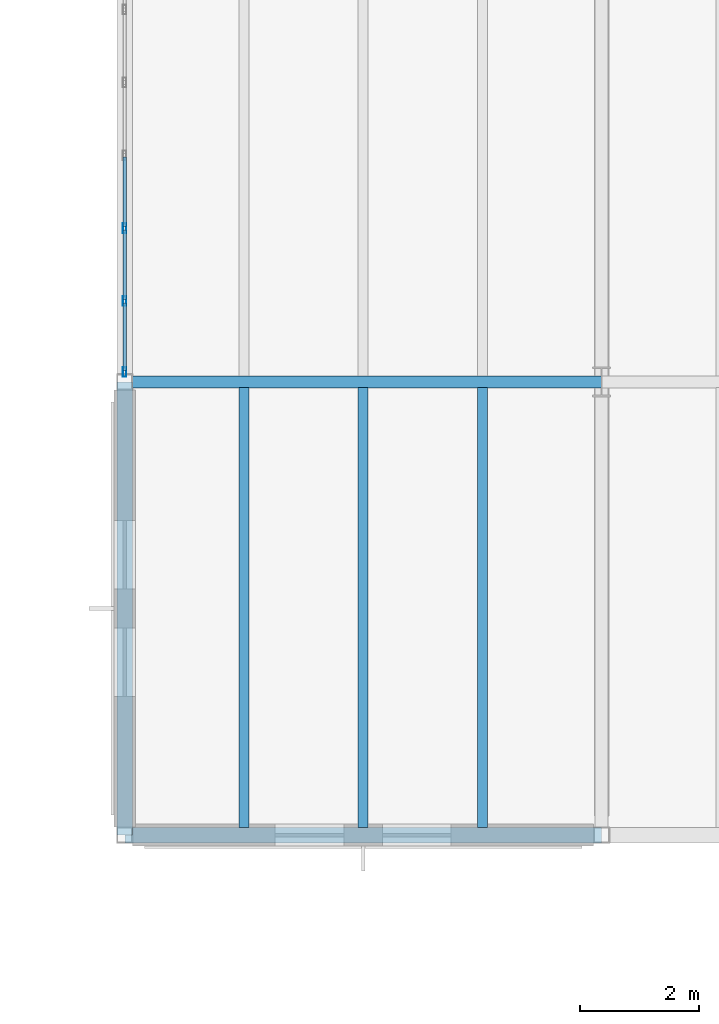
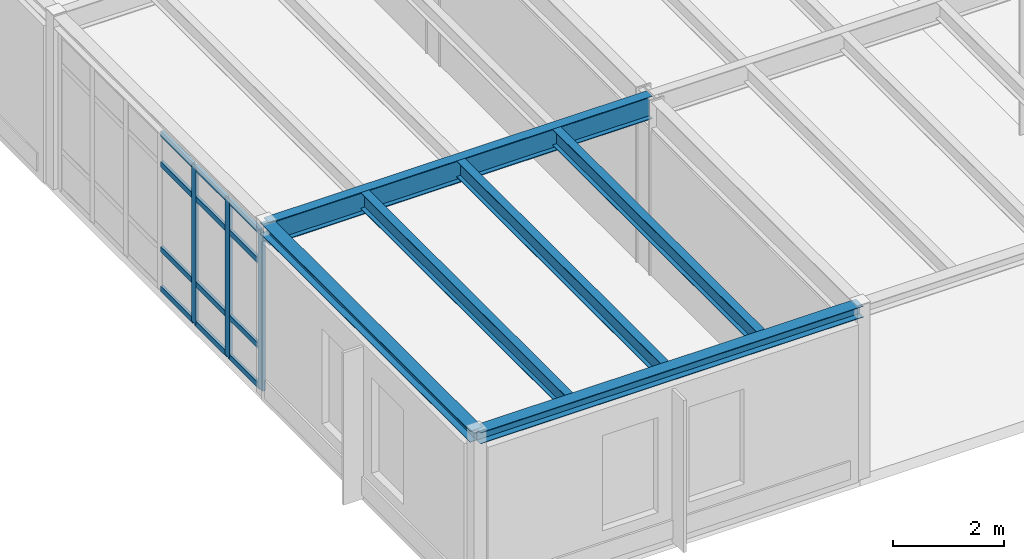
# One storey, part 133 of 189: 15 members, 6 beams, 1 element without a shape of its own.
"""IFC4 building model written with IfcOpenShell, lengths in metres."""

from ifc_helpers import new_model, si_unit, direction, frame, origin, origin_2d, place, context, subcontext, project, spatial, hollow_rectangle, i_section, extrude, material, layer, layer_set, material_profile, profile_set, type_object, element, aggregate, save


model = new_model("IFC4")

# Units and contexts
model_context = context("Model", 3, precision=1e-05, world=origin(), true_north=direction((0.0, 1.0)))
body_context = subcontext(model_context, "Body", "Model", "MODEL_VIEW")
ifc_project = project(units=[si_unit("LENGTHUNIT", "METRE"), si_unit("AREAUNIT", "SQUARE_METRE"), si_unit("VOLUMEUNIT", "CUBIC_METRE"), si_unit("PLANEANGLEUNIT", "RADIAN"), si_unit("MASSUNIT", "GRAM", prefix="KILO")], contexts=[model_context])

# Site, building, storey
site_placement = place(None, origin())
site = spatial("IfcSite", under=ifc_project, at=site_placement, CompositionType="ELEMENT")
building_placement = place(site_placement, origin())
building = spatial("IfcBuilding", under=site, at=building_placement, Name="Montecoro Central Library", CompositionType="ELEMENT")
storey_placement = place(building_placement, frame((0.0, 0.0, 9.179931640625)))
storey = spatial("IfcBuildingStorey", under=building, at=storey_placement, Name="L02", CompositionType="ELEMENT", Elevation=9.179931640625)

# Beams
ifc_material_1 = material(Name="Steel S355", Category="steel")
ifc_material_profile_1 = material_profile(ifc_material_1, i_section(OverallWidth=0.199951171875, OverallDepth=0.5, WebThickness=0.01025390625, FlangeThickness=0.01611328125, at=origin_2d()), Name="IPE 500")
ifc_profile_set_1 = profile_set([ifc_material_profile_1], Name="Steel S355")
beam_type_1 = type_object("IfcBeamType", Name="BM-G-IPE500", PredefinedType="USERDEFINED", material=ifc_profile_set_1)
beam_1_placement = place(storey_placement, frame((141.0048828125, 81.0, 3.565185546875), z_axis=(1.0, 0.0, 0.0), x_axis=(0.0, 1.0, 0.0)))
element("IfcBeam", 1, at=beam_1_placement, inside=storey, type_object=beam_type_1, Name="V5-L02-BX-1819-L", ObjectType="GIRDER", PredefinedType="USERDEFINED", context=body_context, shape_type="SweptSolid", body=[
    extrude(i_section(OverallWidth=0.199951171875, OverallDepth=0.5, WebThickness=0.01025390625, FlangeThickness=0.01611328125, at=origin_2d()), origin(), (0.0, 0.0, 1.0), 7.990234375),
])
ifc_material_profile_2 = material_profile(ifc_material_1, i_section(OverallWidth=0.169921875, OverallDepth=0.360107421875, WebThickness=0.008056640625, FlangeThickness=0.0126953125, at=origin_2d()), Name="IPE 360")
ifc_profile_set_2 = profile_set([ifc_material_profile_2], Name="Steel S355")
beam_type_2 = type_object("IfcBeamType", Name="BM-J-IPE360", PredefinedType="JOIST", material=ifc_profile_set_2)
for number, where, z_axis, x_axis, name in (
    (2, (143.0, 73.527099609375, 3.635009765625), (0.0, 1.0, 0.0), (-1.0, 0.0, 0.0), "V5-L02-JS-1819-KL-1"),
    (3, (145.0, 73.527099609375, 3.635009765625), (0.0, 1.0, 0.0), (-1.0, 0.0, 0.0), "V5-L02-JS-1819-KL-2"),
    (4, (147.0, 73.527099609375, 3.635009765625), (0.0, 1.0, 0.0), (-1.0, 0.0, 0.0), "V5-L02-JS-1819-KL-3"),
):
    element("IfcBeam", number, at=place(storey_placement, frame(where, z_axis=z_axis, x_axis=x_axis)), inside=storey, type_object=beam_type_2, Name=name, PredefinedType="JOIST", context=body_context, shape_type="SweptSolid", body=[
        extrude(i_section(OverallWidth=0.169921875, OverallDepth=0.360107421875, WebThickness=0.008056640625, FlangeThickness=0.0126953125, at=origin_2d()), origin(), (0.0, 0.0, 1.0), 7.3759765625),
    ])
ifc_material_profile_3 = material_profile(ifc_material_1, i_section(OverallWidth=0.260009765625, OverallDepth=0.25, WebThickness=0.007568359375, FlangeThickness=0.012451171875, at=origin_2d()), Name="HEA 260")
ifc_profile_set_3 = profile_set([ifc_material_profile_3], Name="Steel S355")
beam_type_3 = type_object("IfcBeamType", Name="BM-SP-HEA260", PredefinedType="SPANDREL", material=ifc_profile_set_3)
beam_2_placement = place(storey_placement, frame((141.0048828125, 73.39990234375, 3.690185546875), z_axis=(1.0, 0.0, 0.0), x_axis=(0.0, 1.0, 0.0)))
element("IfcBeam", 5, at=beam_2_placement, inside=storey, type_object=beam_type_3, Name="V5-L02-BX-1819-K", PredefinedType="SPANDREL", context=body_context, shape_type="SweptSolid", body=[
    extrude(i_section(OverallWidth=0.260009765625, OverallDepth=0.25, WebThickness=0.007568359375, FlangeThickness=0.012451171875, at=origin_2d()), origin(), (0.0, 0.0, 1.0), 7.990234375),
])
beam_3_placement = place(storey_placement, frame((141.0, 73.405029296875, 3.690185546875), z_axis=(0.0, 1.0, 0.0), x_axis=(-1.0, 0.0, 0.0)))
element("IfcBeam", 6, at=beam_3_placement, inside=storey, type_object=beam_type_3, Name="V5-L02-BY-18-KL", PredefinedType="SPANDREL", context=body_context, shape_type="SweptSolid", body=[
    extrude(i_section(OverallWidth=0.260009765625, OverallDepth=0.25, WebThickness=0.007568359375, FlangeThickness=0.012451171875, at=origin_2d()), origin(), (0.0, 0.0, 1.0), 7.590087890625),
])

# Curtain wall, members
ifc_material_2 = material(Name="Bronze-anodised aluminium and low-E glazing", Category="aluminium")
ifc_layer = layer(ifc_material_2, 0.159912109375)
ifc_layer_set = layer_set([ifc_layer], Name="Bronze-anodised aluminium and low-E glazing")
curtain_wall_type = type_object("IfcCurtainWallType", Name="CWT-054", PredefinedType="NOTDEFINED", material=ifc_layer_set)
curtain_wall_placement = place(storey_placement, origin())
curtain_wall = element("IfcCurtainWall", 7, at=curtain_wall_placement, inside=storey, type_object=curtain_wall_type, Name="V5-L02-CW-W1", PredefinedType="NOTDEFINED")
ifc_material_3 = material(Name="Bronze-anodised aluminium", Category="aluminium")
ifc_material_profile_4 = material_profile(ifc_material_3, hollow_rectangle(XDim=0.06005859375, YDim=0.159912109375, WallThickness=0.00390625, at=origin_2d()), Name="CWM 160x60x4.0")
ifc_profile_set_4 = profile_set([ifc_material_profile_4], Name="Bronze-anodised aluminium")
member_type_1 = type_object("IfcMemberType", Name="CWM-BRZ-60", PredefinedType="MULLION", material=ifc_profile_set_4)
member_1_placement = place(storey_placement, frame((141.0, 83.57763671875, 0.0), z_axis=(0.0, 0.0, 1.0), x_axis=(1.0, 0.0, 0.0)))
member_1 = element("IfcMember", 8, at=member_1_placement, type_object=member_type_1, Name="CW-054 mullion 5", PredefinedType="MULLION", context=body_context, shape_type="SweptSolid", body=[
    extrude(hollow_rectangle(XDim=0.06005859375, YDim=0.159912109375, WallThickness=0.00390625, at=origin_2d()), origin(), (0.0, 0.0, 1.0), 3.47998046875),
])
member_2_placement = place(storey_placement, frame((141.0, 82.355224609375, 0.0), z_axis=(0.0, 0.0, 1.0), x_axis=(1.0, 0.0, 0.0)))
member_2 = element("IfcMember", 9, at=member_2_placement, type_object=member_type_1, Name="CW-054 mullion 6", PredefinedType="MULLION", context=body_context, shape_type="SweptSolid", body=[
    extrude(hollow_rectangle(XDim=0.06005859375, YDim=0.159912109375, WallThickness=0.00390625, at=origin_2d()), origin(), (0.0, 0.0, 1.0), 3.47998046875),
])
member_3_placement = place(storey_placement, frame((141.0, 81.1630859375, 0.0), z_axis=(0.0, 0.0, 1.0), x_axis=(1.0, 0.0, 0.0)))
member_3 = element("IfcMember", 10, at=member_3_placement, type_object=member_type_1, Name="CW-054 mullion 7", PredefinedType="MULLION", context=body_context, shape_type="SweptSolid", body=[
    extrude(hollow_rectangle(XDim=0.06005859375, YDim=0.159912109375, WallThickness=0.00390625, at=origin_2d()), origin(), (0.0, 0.0, 1.0), 3.47998046875),
])
ifc_material_profile_5 = material_profile(ifc_material_3, hollow_rectangle(XDim=0.06005859375, YDim=0.1201171875, WallThickness=0.00390625, at=origin_2d()), Name="CWT 120x60x4.0")
ifc_profile_set_5 = profile_set([ifc_material_profile_5], Name="Bronze-anodised aluminium")
member_type_2 = type_object("IfcMemberType", Name="CWT-BRZ-60", PredefinedType="USERDEFINED", material=ifc_profile_set_5)
member_4_placement = place(storey_placement, frame((141.0, 84.77001953125, 0.030029296875), z_axis=(0.0, -1.0, 0.0), x_axis=(1.0, 0.0, 0.0)))
member_4 = element("IfcMember", 11, at=member_4_placement, type_object=member_type_2, Name="CW-054 transom 4.1", ObjectType="TRANSOM", PredefinedType="USERDEFINED", context=body_context, shape_type="SweptSolid", body=[
    extrude(hollow_rectangle(XDim=0.06005859375, YDim=0.1201171875, WallThickness=0.00390625, at=origin_2d()), origin(), (0.0, 0.0, 1.0), 1.162353515625),
])
member_5_placement = place(storey_placement, frame((141.0, 84.77001953125, 0.900146484375), z_axis=(0.0, -1.0, 0.0), x_axis=(1.0, 0.0, 0.0)))
member_5 = element("IfcMember", 12, at=member_5_placement, type_object=member_type_2, Name="CW-054 transom 4.2", ObjectType="TRANSOM", PredefinedType="USERDEFINED", context=body_context, shape_type="SweptSolid", body=[
    extrude(hollow_rectangle(XDim=0.06005859375, YDim=0.1201171875, WallThickness=0.00390625, at=origin_2d()), origin(), (0.0, 0.0, 1.0), 1.162353515625),
])
member_6_placement = place(storey_placement, frame((141.0, 84.77001953125, 2.780029296875), z_axis=(0.0, -1.0, 0.0), x_axis=(1.0, 0.0, 0.0)))
member_6 = element("IfcMember", 13, at=member_6_placement, type_object=member_type_2, Name="CW-054 transom 4.3", ObjectType="TRANSOM", PredefinedType="USERDEFINED", context=body_context, shape_type="SweptSolid", body=[
    extrude(hollow_rectangle(XDim=0.06005859375, YDim=0.1201171875, WallThickness=0.00390625, at=origin_2d()), origin(), (0.0, 0.0, 1.0), 1.162353515625),
])
member_7_placement = place(storey_placement, frame((141.0, 84.77001953125, 3.449951171875), z_axis=(0.0, -1.0, 0.0), x_axis=(1.0, 0.0, 0.0)))
member_7 = element("IfcMember", 14, at=member_7_placement, type_object=member_type_2, Name="CW-054 transom 4.4", ObjectType="TRANSOM", PredefinedType="USERDEFINED", context=body_context, shape_type="SweptSolid", body=[
    extrude(hollow_rectangle(XDim=0.06005859375, YDim=0.1201171875, WallThickness=0.00390625, at=origin_2d()), origin(), (0.0, 0.0, 1.0), 1.162353515625),
])
member_8_placement = place(storey_placement, frame((141.0, 83.547607421875, 0.030029296875), z_axis=(0.0, -1.0, 0.0), x_axis=(1.0, 0.0, 0.0)))
member_8 = element("IfcMember", 15, at=member_8_placement, type_object=member_type_2, Name="CW-054 transom 5.1", ObjectType="TRANSOM", PredefinedType="USERDEFINED", context=body_context, shape_type="SweptSolid", body=[
    extrude(hollow_rectangle(XDim=0.06005859375, YDim=0.1201171875, WallThickness=0.00390625, at=origin_2d()), origin(), (0.0, 0.0, 1.0), 1.162353515625),
])
member_9_placement = place(storey_placement, frame((141.0, 83.547607421875, 0.900146484375), z_axis=(0.0, -1.0, 0.0), x_axis=(1.0, 0.0, 0.0)))
member_9 = element("IfcMember", 16, at=member_9_placement, type_object=member_type_2, Name="CW-054 transom 5.2", ObjectType="TRANSOM", PredefinedType="USERDEFINED", context=body_context, shape_type="SweptSolid", body=[
    extrude(hollow_rectangle(XDim=0.06005859375, YDim=0.1201171875, WallThickness=0.00390625, at=origin_2d()), origin(), (0.0, 0.0, 1.0), 1.162353515625),
])
member_10_placement = place(storey_placement, frame((141.0, 83.547607421875, 2.780029296875), z_axis=(0.0, -1.0, 0.0), x_axis=(1.0, 0.0, 0.0)))
member_10 = element("IfcMember", 17, at=member_10_placement, type_object=member_type_2, Name="CW-054 transom 5.3", ObjectType="TRANSOM", PredefinedType="USERDEFINED", context=body_context, shape_type="SweptSolid", body=[
    extrude(hollow_rectangle(XDim=0.06005859375, YDim=0.1201171875, WallThickness=0.00390625, at=origin_2d()), origin(), (0.0, 0.0, 1.0), 1.162353515625),
])
member_11_placement = place(storey_placement, frame((141.0, 83.547607421875, 3.449951171875), z_axis=(0.0, -1.0, 0.0), x_axis=(1.0, 0.0, 0.0)))
member_11 = element("IfcMember", 18, at=member_11_placement, type_object=member_type_2, Name="CW-054 transom 5.4", ObjectType="TRANSOM", PredefinedType="USERDEFINED", context=body_context, shape_type="SweptSolid", body=[
    extrude(hollow_rectangle(XDim=0.06005859375, YDim=0.1201171875, WallThickness=0.00390625, at=origin_2d()), origin(), (0.0, 0.0, 1.0), 1.162353515625),
])
member_12_placement = place(storey_placement, frame((141.0, 82.325439453125, 0.030029296875), z_axis=(0.0, -1.0, 0.0), x_axis=(1.0, 0.0, 0.0)))
member_12 = element("IfcMember", 19, at=member_12_placement, type_object=member_type_2, Name="CW-054 transom 6.1", ObjectType="TRANSOM", PredefinedType="USERDEFINED", context=body_context, shape_type="SweptSolid", body=[
    extrude(hollow_rectangle(XDim=0.06005859375, YDim=0.1201171875, WallThickness=0.00390625, at=origin_2d()), origin(), (0.0, 0.0, 1.0), 1.13232421875),
])
member_13_placement = place(storey_placement, frame((141.0, 82.325439453125, 0.900146484375), z_axis=(0.0, -1.0, 0.0), x_axis=(1.0, 0.0, 0.0)))
member_13 = element("IfcMember", 20, at=member_13_placement, type_object=member_type_2, Name="CW-054 transom 6.2", ObjectType="TRANSOM", PredefinedType="USERDEFINED", context=body_context, shape_type="SweptSolid", body=[
    extrude(hollow_rectangle(XDim=0.06005859375, YDim=0.1201171875, WallThickness=0.00390625, at=origin_2d()), origin(), (0.0, 0.0, 1.0), 1.13232421875),
])
member_14_placement = place(storey_placement, frame((141.0, 82.325439453125, 2.780029296875), z_axis=(0.0, -1.0, 0.0), x_axis=(1.0, 0.0, 0.0)))
member_14 = element("IfcMember", 21, at=member_14_placement, type_object=member_type_2, Name="CW-054 transom 6.3", ObjectType="TRANSOM", PredefinedType="USERDEFINED", context=body_context, shape_type="SweptSolid", body=[
    extrude(hollow_rectangle(XDim=0.06005859375, YDim=0.1201171875, WallThickness=0.00390625, at=origin_2d()), origin(), (0.0, 0.0, 1.0), 1.13232421875),
])
member_15_placement = place(storey_placement, frame((141.0, 82.325439453125, 3.449951171875), z_axis=(0.0, -1.0, 0.0), x_axis=(1.0, 0.0, 0.0)))
member_15 = element("IfcMember", 22, at=member_15_placement, type_object=member_type_2, Name="CW-054 transom 6.4", ObjectType="TRANSOM", PredefinedType="USERDEFINED", context=body_context, shape_type="SweptSolid", body=[
    extrude(hollow_rectangle(XDim=0.06005859375, YDim=0.1201171875, WallThickness=0.00390625, at=origin_2d()), origin(), (0.0, 0.0, 1.0), 1.13232421875),
])
aggregate(curtain_wall, [member_1, member_2, member_3, member_4, member_5, member_6, member_7, member_8, member_9, member_10, member_11, member_12, member_13, member_14, member_15])

save(model, "model.ifc")
